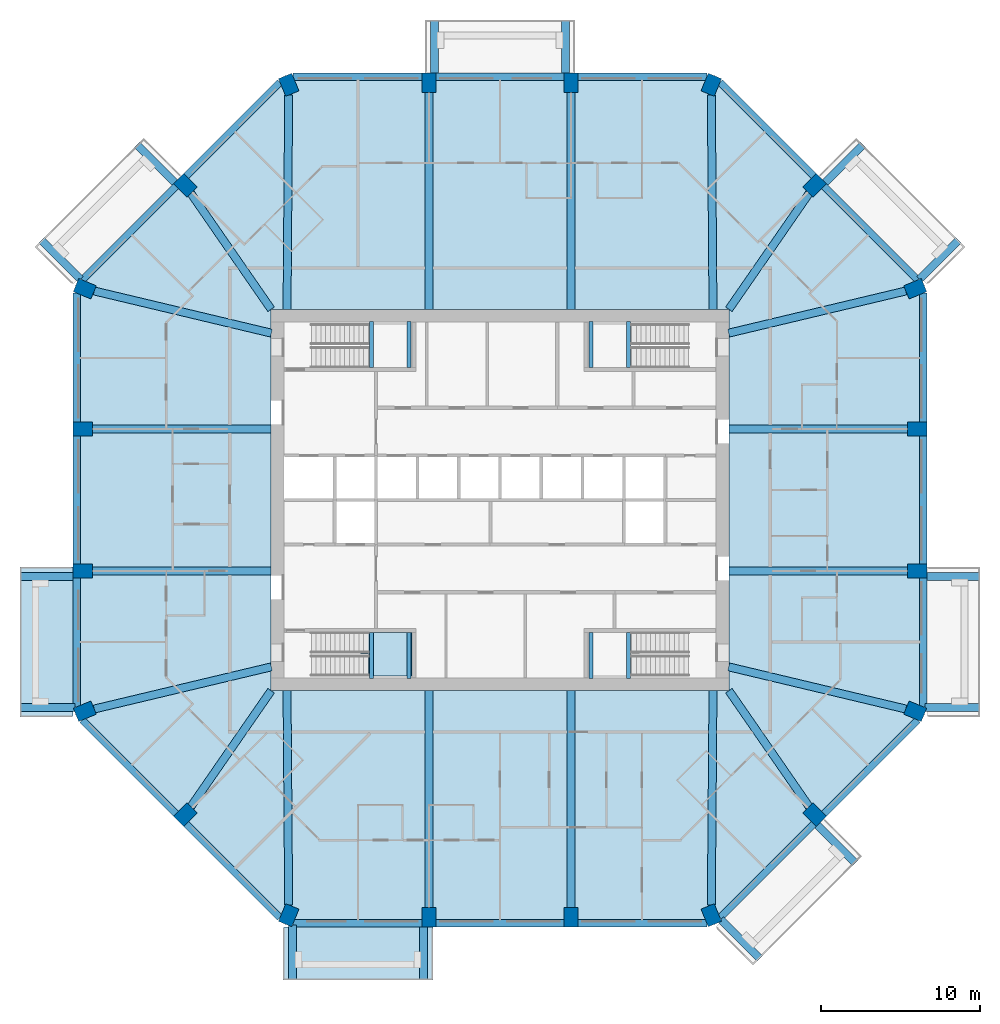
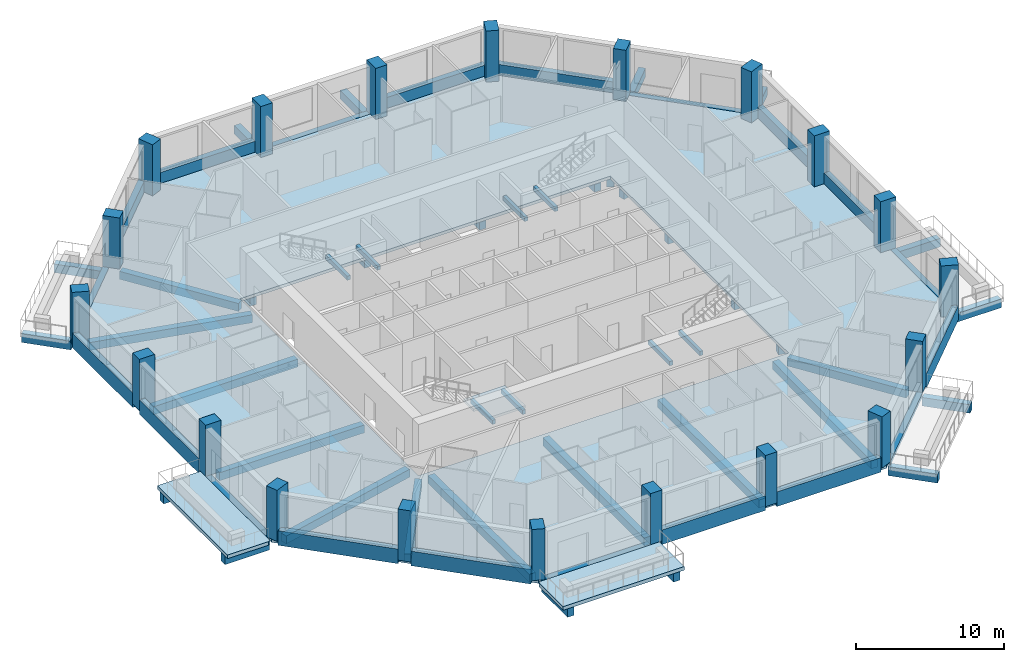
# One storey, part 1 of 12: 62 beams, 20 columns, 4 slabs, 1 element without a shape of its own.
"""IFC4 building model written with IfcOpenShell, lengths in metres."""

from ifc_helpers import new_model, si_unit, direction, frame, origin, origin_2d, place, context, subcontext, project, spatial, polyline, rectangle, outline, extrude, material, layer, layer_set, material_profile, profile_set, type_object, element, aggregate, save


model = new_model("IFC4")

# Units and contexts
model_context = context("Model", 3, precision=1e-05, world=origin(), true_north=direction((0.0, 1.0)))
body_context = subcontext(model_context, "Body", "Model", "MODEL_VIEW")
ifc_project = project(units=[si_unit("LENGTHUNIT", "METRE"), si_unit("AREAUNIT", "SQUARE_METRE"), si_unit("VOLUMEUNIT", "CUBIC_METRE"), si_unit("PLANEANGLEUNIT", "RADIAN"), si_unit("MASSUNIT", "GRAM", prefix="KILO")], contexts=[model_context])

# Site, building, storey
site_placement = place(None, origin())
site = spatial("IfcSite", under=ifc_project, at=site_placement, CompositionType="ELEMENT")
building_placement = place(site_placement, origin())
building = spatial("IfcBuilding", under=site, at=building_placement, Name="Msitu Wima Residences", CompositionType="ELEMENT")
storey_placement = place(building_placement, frame((0.0, 0.0, 119.10009765625)))
storey = spatial("IfcBuildingStorey", under=building, at=storey_placement, Name="L27", CompositionType="ELEMENT", Elevation=119.10009765625)

# Columns
ifc_material_1 = material(Name="Concrete C70/85", Category="concrete")
ifc_material_profile_1 = material_profile(ifc_material_1, rectangle(XDim=0.89990234375, YDim=1.199951171875, at=origin_2d()), Name="RC 900x1200")
ifc_profile_set_1 = profile_set([ifc_material_profile_1], Name="Concrete C70/85")
column_type = type_object("IfcColumnType", Name="Column RC 900x1200 Concrete C70/85", PredefinedType="COLUMN", material=ifc_profile_set_1)
for number, where, z_axis, x_axis, name in (
    (1, (26.12353515625, -13.291259765625, 0.0), (0.0, 0.0, 1.0), (0.382683496864, 0.923879505795, 0.0), "Column L27 C-E0"),
    (2, (26.25, -4.46875, 0.0), (0.0, 0.0, 1.0), (0.0, 1.0, 0.0), "Column L27 C-E1"),
    (3, (26.25, 4.46875, 0.0), (0.0, 0.0, 1.0), (0.0, 1.0, 0.0), "Column L27 C-E2"),
    (4, (26.12353515625, 13.291259765625, 0.0), (0.0, 0.0, 1.0), (-0.382683496864, 0.923879505795, 0.0), "Column L27 C-NE0"),
    (5, (19.796875, 19.796875, 0.0), (0.0, 0.0, 1.0), (-0.707106781187, 0.707106781187, 0.0), "Column L27 C-NE1"),
    (6, (13.291259765625, 26.12353515625, 0.0), (0.0, 0.0, 1.0), (-0.923879505795, 0.382683496864, 0.0), "Column L27 C-N0"),
    (7, (4.46875, 26.25, 0.0), (0.0, 0.0, 1.0), (-1.0, 0.0, 0.0), "Column L27 C-N1"),
    (8, (-4.46875, 26.25, 0.0), (0.0, 0.0, 1.0), (-1.0, 0.0, 0.0), "Column L27 C-N2"),
    (9, (-13.291259765625, 26.12353515625, 0.0), (0.0, 0.0, 1.0), (-0.923879505795, -0.382683496864, 0.0), "Column L27 C-NW0"),
    (10, (-19.796875, 19.796875, 0.0), (0.0, 0.0, 1.0), (-0.707106781187, -0.707106781187, 0.0), "Column L27 C-NW1"),
    (11, (-26.12353515625, 13.291259765625, 0.0), (0.0, 0.0, 1.0), (-0.382683496864, -0.923879505795, 0.0), "Column L27 C-W0"),
    (12, (-26.25, 4.46875, 0.0), (0.0, 0.0, 1.0), (0.0, -1.0, 0.0), "Column L27 C-W1"),
    (13, (-26.25, -4.46875, 0.0), (0.0, 0.0, 1.0), (0.0, -1.0, 0.0), "Column L27 C-W2"),
    (14, (-26.12353515625, -13.291259765625, 0.0), (0.0, 0.0, 1.0), (0.382683496864, -0.923879505795, 0.0), "Column L27 C-SW0"),
    (15, (-19.796875, -19.796875, 0.0), (0.0, 0.0, 1.0), (0.707106781187, -0.707106781187, 0.0), "Column L27 C-SW1"),
    (16, (-13.291259765625, -26.12353515625, 0.0), (0.0, 0.0, 1.0), (0.923879505795, -0.382683496864, 0.0), "Column L27 C-S0"),
    (17, (-4.46875, -26.25, 0.0), (0.0, 0.0, 1.0), (1.0, 0.0, 0.0), "Column L27 C-S1"),
    (18, (4.46875, -26.25, 0.0), (0.0, 0.0, 1.0), (1.0, 0.0, 0.0), "Column L27 C-S2"),
    (19, (13.291259765625, -26.12353515625, 0.0), (0.0, 0.0, 1.0), (0.923879505795, 0.382683496864, 0.0), "Column L27 C-SE0"),
    (20, (19.796875, -19.796875, 0.0), (0.0, 0.0, 1.0), (0.707106781187, 0.707106781187, 0.0), "Column L27 C-SE1"),
):
    element("IfcColumn", number, at=place(storey_placement, frame(where, z_axis=z_axis, x_axis=x_axis)), inside=storey, type_object=column_type, Name=name, PredefinedType="COLUMN", context=body_context, shape_type="SweptSolid", body=[
        extrude(rectangle(XDim=0.89990234375, YDim=1.199951171875, at=origin_2d()), origin(), (0.0, 0.0, 1.0), 4.199951171875),
    ])

# Beams
ifc_material_2 = material(Name="Concrete C50/60", Category="concrete")
ifc_material_profile_2 = material_profile(ifc_material_2, rectangle(XDim=0.5, YDim=0.64990234375, at=origin_2d()), Name="RC 500x650")
ifc_profile_set_2 = profile_set([ifc_material_profile_2], Name="Concrete C50/60")
beam_type_1 = type_object("IfcBeamType", Name="Beam RC 500x650 Concrete C50/60", PredefinedType="BEAM", material=ifc_profile_set_2)
beam_1_placement = place(storey_placement, frame((25.5322265625, -13.150634765625, -0.5751953125), z_axis=(-0.972805528659, 0.231623408598, 0.0), x_axis=(-0.231623408598, -0.972805528659, 0.0)))
element("IfcBeam", 21, at=beam_1_placement, inside=storey, type_object=beam_type_1, Name="Beam L27 C-E0", PredefinedType="BEAM", context=body_context, shape_type="SweptSolid", body=[
    extrude(rectangle(XDim=0.5, YDim=0.64990234375, at=origin_2d()), origin(), (0.0, 0.0, 1.0), 11.455322265625),
])
for number, where, z_axis, x_axis, name in (
    (22, (25.64990234375, -4.46875, -0.5751953125), (-1.0, 0.0, 0.0), (0.0, -1.0, 0.0), "Beam L27 C-E1"),
    (23, (25.64990234375, 4.46875, -0.5751953125), (-1.0, 0.0, 0.0), (0.0, -1.0, 0.0), "Beam L27 C-E2"),
):
    element("IfcBeam", number, at=place(storey_placement, frame(where, z_axis=z_axis, x_axis=x_axis)), inside=storey, type_object=beam_type_1, Name=name, PredefinedType="BEAM", context=body_context, shape_type="SweptSolid", body=[
        extrude(rectangle(XDim=0.5, YDim=0.64990234375, at=origin_2d()), origin(), (0.0, 0.0, 1.0), 11.25),
    ])
beam_2_placement = place(storey_placement, frame((25.5322265625, 13.150634765625, -0.5751953125), z_axis=(-0.972805528659, -0.231623408598, 0.0), x_axis=(0.231623408598, -0.972805528659, 0.0)))
element("IfcBeam", 24, at=beam_2_placement, inside=storey, type_object=beam_type_1, Name="Beam L27 C-NE0", PredefinedType="BEAM", context=body_context, shape_type="SweptSolid", body=[
    extrude(rectangle(XDim=0.5, YDim=0.64990234375, at=origin_2d()), origin(), (0.0, 0.0, 1.0), 11.455322265625),
])
beam_3_placement = place(storey_placement, frame((19.44970703125, 19.29541015625, -0.5751953125), z_axis=(-0.569144158363, -0.822237755763, 0.0), x_axis=(0.822237755763, -0.569144158363, 0.0)))
element("IfcBeam", 25, at=beam_3_placement, inside=storey, type_object=beam_type_1, Name="Beam L27 C-NE1", PredefinedType="BEAM", context=body_context, shape_type="SweptSolid", body=[
    extrude(rectangle(XDim=0.5, YDim=0.64990234375, at=origin_2d()), origin(), (0.0, 0.0, 1.0), 8.87255859375),
])
beam_4_placement = place(storey_placement, frame((13.29638671875, 25.471923828125, -0.5751953125), z_axis=(0.007694865426, -0.999970394085, 0.0), x_axis=(0.999970394085, 0.007694865426, 0.0)))
element("IfcBeam", 26, at=beam_4_placement, inside=storey, type_object=beam_type_1, Name="Beam L27 C-N0", PredefinedType="BEAM", context=body_context, shape_type="SweptSolid", body=[
    extrude(rectangle(XDim=0.5, YDim=0.64990234375, at=origin_2d()), origin(), (0.0, 0.0, 1.0), 13.484375),
])
for number, where, z_axis, x_axis, name in (
    (27, (4.46875, 25.64990234375, -0.5751953125), (0.0, -1.0, 0.0), (1.0, 0.0, 0.0), "Beam L27 C-N1"),
    (28, (-4.46875, 25.64990234375, -0.5751953125), (0.0, -1.0, 0.0), (1.0, 0.0, 0.0), "Beam L27 C-N2"),
):
    element("IfcBeam", number, at=place(storey_placement, frame(where, z_axis=z_axis, x_axis=x_axis)), inside=storey, type_object=beam_type_1, Name=name, PredefinedType="BEAM", context=body_context, shape_type="SweptSolid", body=[
        extrude(rectangle(XDim=0.5, YDim=0.64990234375, at=origin_2d()), origin(), (0.0, 0.0, 1.0), 13.64990234375),
    ])
beam_5_placement = place(storey_placement, frame((-13.29638671875, 25.471923828125, -0.5751953125), z_axis=(-0.007694865426, -0.999970394085, 0.0), x_axis=(0.999970394085, -0.007694865426, 0.0)))
element("IfcBeam", 29, at=beam_5_placement, inside=storey, type_object=beam_type_1, Name="Beam L27 C-NW0", PredefinedType="BEAM", context=body_context, shape_type="SweptSolid", body=[
    extrude(rectangle(XDim=0.5, YDim=0.64990234375, at=origin_2d()), origin(), (0.0, 0.0, 1.0), 13.484375),
])
beam_6_placement = place(storey_placement, frame((-19.44970703125, 19.29541015625, -0.5751953125), z_axis=(0.569144158363, -0.822237755763, 0.0), x_axis=(0.822237755763, 0.569144158363, 0.0)))
element("IfcBeam", 30, at=beam_6_placement, inside=storey, type_object=beam_type_1, Name="Beam L27 C-NW1", PredefinedType="BEAM", context=body_context, shape_type="SweptSolid", body=[
    extrude(rectangle(XDim=0.5, YDim=0.64990234375, at=origin_2d()), origin(), (0.0, 0.0, 1.0), 8.87255859375),
])
beam_7_placement = place(storey_placement, frame((-25.5322265625, 13.150634765625, -0.5751953125), z_axis=(0.972805528659, -0.231623408598, 0.0), x_axis=(0.231623408598, 0.972805528659, 0.0)))
element("IfcBeam", 31, at=beam_7_placement, inside=storey, type_object=beam_type_1, Name="Beam L27 C-W0", PredefinedType="BEAM", context=body_context, shape_type="SweptSolid", body=[
    extrude(rectangle(XDim=0.5, YDim=0.64990234375, at=origin_2d()), origin(), (0.0, 0.0, 1.0), 11.455322265625),
])
for number, where, z_axis, x_axis, name in (
    (32, (-25.64990234375, 4.46875, -0.5751953125), (1.0, 0.0, 0.0), (0.0, 1.0, 0.0), "Beam L27 C-W1"),
    (33, (-25.64990234375, -4.46875, -0.5751953125), (1.0, 0.0, 0.0), (0.0, 1.0, 0.0), "Beam L27 C-W2"),
):
    element("IfcBeam", number, at=place(storey_placement, frame(where, z_axis=z_axis, x_axis=x_axis)), inside=storey, type_object=beam_type_1, Name=name, PredefinedType="BEAM", context=body_context, shape_type="SweptSolid", body=[
        extrude(rectangle(XDim=0.5, YDim=0.64990234375, at=origin_2d()), origin(), (0.0, 0.0, 1.0), 11.25),
    ])
beam_8_placement = place(storey_placement, frame((-25.5322265625, -13.150634765625, -0.5751953125), z_axis=(0.972805528659, 0.231623408598, 0.0), x_axis=(-0.231623408598, 0.972805528659, 0.0)))
element("IfcBeam", 34, at=beam_8_placement, inside=storey, type_object=beam_type_1, Name="Beam L27 C-SW0", PredefinedType="BEAM", context=body_context, shape_type="SweptSolid", body=[
    extrude(rectangle(XDim=0.5, YDim=0.64990234375, at=origin_2d()), origin(), (0.0, 0.0, 1.0), 11.455322265625),
])
beam_9_placement = place(storey_placement, frame((-19.44970703125, -19.29541015625, -0.5751953125), z_axis=(0.569144158363, 0.822237755763, 0.0), x_axis=(-0.822237755763, 0.569144158363, 0.0)))
element("IfcBeam", 35, at=beam_9_placement, inside=storey, type_object=beam_type_1, Name="Beam L27 C-SW1", PredefinedType="BEAM", context=body_context, shape_type="SweptSolid", body=[
    extrude(rectangle(XDim=0.5, YDim=0.64990234375, at=origin_2d()), origin(), (0.0, 0.0, 1.0), 8.87255859375),
])
beam_10_placement = place(storey_placement, frame((-13.29638671875, -25.471923828125, -0.5751953125), z_axis=(-0.007694865426, 0.999970394085, 0.0), x_axis=(-0.999970394085, -0.007694865426, 0.0)))
element("IfcBeam", 36, at=beam_10_placement, inside=storey, type_object=beam_type_1, Name="Beam L27 C-S0", PredefinedType="BEAM", context=body_context, shape_type="SweptSolid", body=[
    extrude(rectangle(XDim=0.5, YDim=0.64990234375, at=origin_2d()), origin(), (0.0, 0.0, 1.0), 13.484375),
])
for number, where, z_axis, x_axis, name in (
    (37, (-4.46875, -25.64990234375, -0.5751953125), (0.0, 1.0, 0.0), (-1.0, 0.0, 0.0), "Beam L27 C-S1"),
    (38, (4.46875, -25.64990234375, -0.5751953125), (0.0, 1.0, 0.0), (-1.0, 0.0, 0.0), "Beam L27 C-S2"),
):
    element("IfcBeam", number, at=place(storey_placement, frame(where, z_axis=z_axis, x_axis=x_axis)), inside=storey, type_object=beam_type_1, Name=name, PredefinedType="BEAM", context=body_context, shape_type="SweptSolid", body=[
        extrude(rectangle(XDim=0.5, YDim=0.64990234375, at=origin_2d()), origin(), (0.0, 0.0, 1.0), 13.64990234375),
    ])
beam_11_placement = place(storey_placement, frame((13.29638671875, -25.471923828125, -0.5751953125), z_axis=(0.007694865426, 0.999970394085, 0.0), x_axis=(-0.999970394085, 0.007694865426, 0.0)))
element("IfcBeam", 39, at=beam_11_placement, inside=storey, type_object=beam_type_1, Name="Beam L27 C-SE0", PredefinedType="BEAM", context=body_context, shape_type="SweptSolid", body=[
    extrude(rectangle(XDim=0.5, YDim=0.64990234375, at=origin_2d()), origin(), (0.0, 0.0, 1.0), 13.484375),
])
beam_12_placement = place(storey_placement, frame((19.44970703125, -19.29541015625, -0.5751953125), z_axis=(-0.569144158363, 0.822237755763, 0.0), x_axis=(-0.822237755763, -0.569144158363, 0.0)))
element("IfcBeam", 40, at=beam_12_placement, inside=storey, type_object=beam_type_1, Name="Beam L27 C-SE1", PredefinedType="BEAM", context=body_context, shape_type="SweptSolid", body=[
    extrude(rectangle(XDim=0.5, YDim=0.64990234375, at=origin_2d()), origin(), (0.0, 0.0, 1.0), 8.87255859375),
])
ifc_material_profile_3 = material_profile(ifc_material_2, rectangle(XDim=0.5, YDim=0.699951171875, at=origin_2d()), Name="RC 500x700")
ifc_profile_set_3 = profile_set([ifc_material_profile_3], Name="Concrete C50/60")
beam_type_2 = type_object("IfcBeamType", Name="Cantilever beam RC 500x700 Concrete C50/60", PredefinedType="BEAM", material=ifc_profile_set_3)
beam_13_placement = place(storey_placement, frame((26.73095703125, -13.055908203125, -0.650146484375), z_axis=(1.0, 0.0, 0.0), x_axis=(0.0, 1.0, 0.0)))
element("IfcBeam", 41, at=beam_13_placement, inside=storey, type_object=beam_type_2, Name="Cantilever beam L27 BA-E0 A", PredefinedType="BEAM", context=body_context, shape_type="SweptSolid", body=[
    extrude(rectangle(XDim=0.5, YDim=0.699951171875, at=origin_2d()), origin(), (0.0, 0.0, 1.0), 3.468994140625),
])
beam_14_placement = place(storey_placement, frame((26.85009765625, -4.818603515625, -0.650146484375), z_axis=(1.0, 0.0, 0.0), x_axis=(0.0, 1.0, 0.0)))
element("IfcBeam", 42, at=beam_14_placement, inside=storey, type_object=beam_type_2, Name="Cantilever beam L27 BA-E0 B", PredefinedType="BEAM", context=body_context, shape_type="SweptSolid", body=[
    extrude(rectangle(XDim=0.5, YDim=0.699951171875, at=origin_2d()), origin(), (0.0, 0.0, 1.0), 3.349853515625),
])
beam_15_placement = place(storey_placement, frame((26.386474609375, 13.887451171875, -0.650146484375), z_axis=(0.707141968506, 0.707071592116, 0.0), x_axis=(-0.707071592116, 0.707141968506, 0.0)))
element("IfcBeam", 43, at=beam_15_placement, inside=storey, type_object=beam_type_2, Name="Cantilever beam L27 BA-NE0 A", PredefinedType="BEAM", context=body_context, shape_type="SweptSolid", body=[
    extrude(rectangle(XDim=0.5, YDim=0.699951171875, at=origin_2d()), origin(), (0.0, 0.0, 1.0), 3.468994140625),
])
for number, where, z_axis, x_axis, name in (
    (44, (20.46875, 19.9736328125, -0.650146484375), (0.707070340836, 0.707143219659, 0.0), (-0.707143219659, 0.707070340836, 0.0), "Cantilever beam L27 BA-NE0 B"),
    (45, (4.11865234375, 26.85009765625, -0.650146484375), (0.0, 1.0, 0.0), (-1.0, 0.0, 0.0), "Cantilever beam L27 BA-N1 A"),
    (46, (-4.11865234375, 26.85009765625, -0.650146484375), (0.0, 1.0, 0.0), (-1.0, 0.0, 0.0), "Cantilever beam L27 BA-N1 B"),
    (47, (-20.46875, 19.9736328125, -0.650146484375), (-0.707070340836, 0.707143219659, 0.0), (-0.707143219659, -0.707070340836, 0.0), "Cantilever beam L27 BA-NW1 A"),
):
    element("IfcBeam", number, at=place(storey_placement, frame(where, z_axis=z_axis, x_axis=x_axis)), inside=storey, type_object=beam_type_2, Name=name, PredefinedType="BEAM", context=body_context, shape_type="SweptSolid", body=[
        extrude(rectangle(XDim=0.5, YDim=0.699951171875, at=origin_2d()), origin(), (0.0, 0.0, 1.0), 3.349853515625),
    ])
beam_16_placement = place(storey_placement, frame((-26.386474609375, 13.887451171875, -0.650146484375), z_axis=(-0.707141968506, 0.707071592116, 0.0), x_axis=(-0.707071592116, -0.707141968506, 0.0)))
element("IfcBeam", 48, at=beam_16_placement, inside=storey, type_object=beam_type_2, Name="Cantilever beam L27 BA-NW1 B", PredefinedType="BEAM", context=body_context, shape_type="SweptSolid", body=[
    extrude(rectangle(XDim=0.5, YDim=0.699951171875, at=origin_2d()), origin(), (0.0, 0.0, 1.0), 3.468994140625),
])
beam_17_placement = place(storey_placement, frame((-26.85009765625, -4.818603515625, -0.650146484375), z_axis=(-1.0, 0.0, 0.0), x_axis=(0.0, -1.0, 0.0)))
element("IfcBeam", 49, at=beam_17_placement, inside=storey, type_object=beam_type_2, Name="Cantilever beam L27 BA-W2 A", PredefinedType="BEAM", context=body_context, shape_type="SweptSolid", body=[
    extrude(rectangle(XDim=0.5, YDim=0.699951171875, at=origin_2d()), origin(), (0.0, 0.0, 1.0), 3.349853515625),
])
for number, where, z_axis, x_axis, name in (
    (50, (-26.73095703125, -13.055908203125, -0.650146484375), (-1.0, 0.0, 0.0), (0.0, -1.0, 0.0), "Cantilever beam L27 BA-W2 B"),
    (51, (-13.055908203125, -26.73095703125, -0.650146484375), (0.0, -1.0, 0.0), (1.0, 0.0, 0.0), "Cantilever beam L27 BA-S0 A"),
):
    element("IfcBeam", number, at=place(storey_placement, frame(where, z_axis=z_axis, x_axis=x_axis)), inside=storey, type_object=beam_type_2, Name=name, PredefinedType="BEAM", context=body_context, shape_type="SweptSolid", body=[
        extrude(rectangle(XDim=0.5, YDim=0.699951171875, at=origin_2d()), origin(), (0.0, 0.0, 1.0), 3.468994140625),
    ])
beam_18_placement = place(storey_placement, frame((-4.818603515625, -26.85009765625, -0.650146484375), z_axis=(0.0, -1.0, 0.0), x_axis=(1.0, 0.0, 0.0)))
element("IfcBeam", 52, at=beam_18_placement, inside=storey, type_object=beam_type_2, Name="Cantilever beam L27 BA-S0 B", PredefinedType="BEAM", context=body_context, shape_type="SweptSolid", body=[
    extrude(rectangle(XDim=0.5, YDim=0.699951171875, at=origin_2d()), origin(), (0.0, 0.0, 1.0), 3.349853515625),
])
beam_19_placement = place(storey_placement, frame((13.887451171875, -26.386474609375, -0.650146484375), z_axis=(0.707071592116, -0.707141968506, 0.0), x_axis=(0.707141968506, 0.707071592116, 0.0)))
element("IfcBeam", 53, at=beam_19_placement, inside=storey, type_object=beam_type_2, Name="Cantilever beam L27 BA-SE0 A", PredefinedType="BEAM", context=body_context, shape_type="SweptSolid", body=[
    extrude(rectangle(XDim=0.5, YDim=0.699951171875, at=origin_2d()), origin(), (0.0, 0.0, 1.0), 3.468994140625),
])
beam_20_placement = place(storey_placement, frame((19.9736328125, -20.46875, -0.650146484375), z_axis=(0.707143219659, -0.707070340836, 0.0), x_axis=(0.707070340836, 0.707143219659, 0.0)))
element("IfcBeam", 54, at=beam_20_placement, inside=storey, type_object=beam_type_2, Name="Cantilever beam L27 BA-SE0 B", PredefinedType="BEAM", context=body_context, shape_type="SweptSolid", body=[
    extrude(rectangle(XDim=0.5, YDim=0.699951171875, at=origin_2d()), origin(), (0.0, 0.0, 1.0), 3.349853515625),
])
ifc_material_profile_4 = material_profile(ifc_material_2, rectangle(XDim=0.449951171875, YDim=0.300048828125, at=origin_2d()), Name="RC 450x300")
ifc_profile_set_4 = profile_set([ifc_material_profile_4], Name="Concrete C50/60")
beam_type_3 = type_object("IfcBeamType", Name="Edge beam RC 450x300 Concrete C50/60", PredefinedType="SPANDREL", material=ifc_profile_set_4)
beam_21_placement = place(storey_placement, frame((26.625, -13.02392578125, -0.150146484375), z_axis=(0.0, 1.0, 0.0), x_axis=(-1.0, 0.0, 0.0)))
element("IfcBeam", 55, at=beam_21_placement, inside=storey, type_object=beam_type_3, Name="Spandrel L27 E0", PredefinedType="SPANDREL", context=body_context, shape_type="SweptSolid", body=[
    extrude(rectangle(XDim=0.449951171875, YDim=0.300048828125, at=origin_2d()), origin(), (0.0, 0.0, 1.0), 8.105224609375),
])
beam_22_placement = place(storey_placement, frame((26.2890625, 13.8349609375, -0.150146484375), z_axis=(-0.707106781187, 0.707106781187, 0.0), x_axis=(-0.707106781187, -0.707106781187, 0.0)))
element("IfcBeam", 56, at=beam_22_placement, inside=storey, type_object=beam_type_3, Name="Spandrel L27 NE0", PredefinedType="SPANDREL", context=body_context, shape_type="SweptSolid", body=[
    extrude(rectangle(XDim=0.449951171875, YDim=0.300048828125, at=origin_2d()), origin(), (0.0, 0.0, 1.0), 8.3564453125),
])
beam_23_placement = place(storey_placement, frame((4.0185546875, 26.625, -0.150146484375), z_axis=(-1.0, 0.0, 0.0), x_axis=(0.0, -1.0, 0.0)))
element("IfcBeam", 57, at=beam_23_placement, inside=storey, type_object=beam_type_3, Name="Spandrel L27 N1", PredefinedType="SPANDREL", context=body_context, shape_type="SweptSolid", body=[
    extrude(rectangle(XDim=0.449951171875, YDim=0.300048828125, at=origin_2d()), origin(), (0.0, 0.0, 1.0), 8.037109375),
])
beam_24_placement = place(storey_placement, frame((-20.380126953125, 19.743896484375, -0.150146484375), z_axis=(-0.707106781187, -0.707106781187, 0.0), x_axis=(0.707106781187, -0.707106781187, 0.0)))
element("IfcBeam", 58, at=beam_24_placement, inside=storey, type_object=beam_type_3, Name="Spandrel L27 NW1", PredefinedType="SPANDREL", context=body_context, shape_type="SweptSolid", body=[
    extrude(rectangle(XDim=0.449951171875, YDim=0.300048828125, at=origin_2d()), origin(), (0.0, 0.0, 1.0), 8.3564453125),
])
for number, where, z_axis, x_axis, name in (
    (59, (-26.625, -4.918701171875, -0.150146484375), (0.0, -1.0, 0.0), (1.0, 0.0, 0.0), "Spandrel L27 W2"),
    (60, (-13.02392578125, -26.625, -0.150146484375), (1.0, 0.0, 0.0), (0.0, 1.0, 0.0), "Spandrel L27 S0"),
):
    element("IfcBeam", number, at=place(storey_placement, frame(where, z_axis=z_axis, x_axis=x_axis)), inside=storey, type_object=beam_type_3, Name=name, PredefinedType="SPANDREL", context=body_context, shape_type="SweptSolid", body=[
        extrude(rectangle(XDim=0.449951171875, YDim=0.300048828125, at=origin_2d()), origin(), (0.0, 0.0, 1.0), 8.105224609375),
    ])
beam_25_placement = place(storey_placement, frame((13.8349609375, -26.2890625, -0.150146484375), z_axis=(0.707106781187, 0.707106781187, 0.0), x_axis=(-0.707106781187, 0.707106781187, 0.0)))
element("IfcBeam", 61, at=beam_25_placement, inside=storey, type_object=beam_type_3, Name="Spandrel L27 SE0", PredefinedType="SPANDREL", context=body_context, shape_type="SweptSolid", body=[
    extrude(rectangle(XDim=0.449951171875, YDim=0.300048828125, at=origin_2d()), origin(), (0.0, 0.0, 1.0), 8.3564453125),
])
ifc_material_3 = material(Name="Concrete C40/50", Category="concrete")
ifc_material_profile_5 = material_profile(ifc_material_3, rectangle(XDim=0.25, YDim=0.35009765625, at=origin_2d()), Name="RC 250x350")
ifc_profile_set_5 = profile_set([ifc_material_profile_5], Name="Concrete C40/50")
beam_type_4 = type_object("IfcBeamType", Name="Landing beam RC 250x350", PredefinedType="BEAM", material=ifc_profile_set_5)
for number, where, z_axis, x_axis, name in (
    (62, (-8.074951171875, 8.324951171875, 1.724853515625), (0.0, 1.0, 0.0), (-1.0, 0.0, 0.0), "Stair 1 landing beam"),
    (63, (-5.72509765625, 8.324951171875, 1.724853515625), (0.0, 1.0, 0.0), (-1.0, 0.0, 0.0), "Stair 1 landing beam"),
    (64, (-8.074951171875, -11.22509765625, 1.724853515625), (0.0, 1.0, 0.0), (-1.0, 0.0, 0.0), "Stair 2 landing beam"),
    (65, (-5.72509765625, -11.22509765625, 1.724853515625), (0.0, 1.0, 0.0), (-1.0, 0.0, 0.0), "Stair 2 landing beam"),
    (66, (8.074951171875, 8.324951171875, 1.724853515625), (0.0, 1.0, 0.0), (-1.0, 0.0, 0.0), "Stair 3 landing beam"),
    (67, (5.72509765625, 8.324951171875, 1.724853515625), (0.0, 1.0, 0.0), (-1.0, 0.0, 0.0), "Stair 3 landing beam"),
    (68, (8.074951171875, -11.22509765625, 1.724853515625), (0.0, 1.0, 0.0), (-1.0, 0.0, 0.0), "Stair 4 landing beam"),
    (69, (5.72509765625, -11.22509765625, 1.724853515625), (0.0, 1.0, 0.0), (-1.0, 0.0, 0.0), "Stair 4 landing beam"),
):
    element("IfcBeam", number, at=place(storey_placement, frame(where, z_axis=z_axis, x_axis=x_axis)), inside=storey, type_object=beam_type_4, Name=name, PredefinedType="BEAM", context=body_context, shape_type="SweptSolid", body=[
        extrude(rectangle(XDim=0.25, YDim=0.35009765625, at=origin_2d()), origin(), (0.0, 0.0, 1.0), 2.900146484375),
    ])
ifc_material_profile_6 = material_profile(ifc_material_2, rectangle(XDim=0.449951171875, YDim=1.199951171875, at=origin_2d()), Name="RC 450x1200")
ifc_profile_set_6 = profile_set([ifc_material_profile_6], Name="Concrete C50/60")
beam_type_5 = type_object("IfcBeamType", Name="Spandrel RC 450x1200 Concrete C50/60", PredefinedType="SPANDREL", material=ifc_profile_set_6)
beam_26_placement = place(storey_placement, frame((26.625, -4.0185546875, 0.2998046875), z_axis=(0.0, 1.0, 0.0), x_axis=(-1.0, 0.0, 0.0)))
element("IfcBeam", 70, at=beam_26_placement, inside=storey, type_object=beam_type_5, Name="Spandrel L27 E1", PredefinedType="SPANDREL", context=body_context, shape_type="SweptSolid", body=[
    extrude(rectangle(XDim=0.449951171875, YDim=1.199951171875, at=origin_2d()), origin(), (0.0, 0.0, 1.0), 8.037109375),
])
beam_27_placement = place(storey_placement, frame((26.625, 4.918701171875, 0.2998046875), z_axis=(0.0, 1.0, 0.0), x_axis=(-1.0, 0.0, 0.0)))
element("IfcBeam", 71, at=beam_27_placement, inside=storey, type_object=beam_type_5, Name="Spandrel L27 E2", PredefinedType="SPANDREL", context=body_context, shape_type="SweptSolid", body=[
    extrude(rectangle(XDim=0.449951171875, YDim=1.199951171875, at=origin_2d()), origin(), (0.0, 0.0, 1.0), 8.105224609375),
])
beam_28_placement = place(storey_placement, frame((19.743896484375, 20.380126953125, 0.2998046875), z_axis=(-0.707106781187, 0.707106781187, 0.0), x_axis=(-0.707106781187, -0.707106781187, 0.0)))
element("IfcBeam", 72, at=beam_28_placement, inside=storey, type_object=beam_type_5, Name="Spandrel L27 NE1", PredefinedType="SPANDREL", context=body_context, shape_type="SweptSolid", body=[
    extrude(rectangle(XDim=0.449951171875, YDim=1.199951171875, at=origin_2d()), origin(), (0.0, 0.0, 1.0), 8.3564453125),
])
for number, where, z_axis, x_axis, name in (
    (73, (13.02392578125, 26.625, 0.2998046875), (-1.0, 0.0, 0.0), (0.0, -1.0, 0.0), "Spandrel L27 N0"),
    (74, (-4.918701171875, 26.625, 0.2998046875), (-1.0, 0.0, 0.0), (0.0, -1.0, 0.0), "Spandrel L27 N2"),
):
    element("IfcBeam", number, at=place(storey_placement, frame(where, z_axis=z_axis, x_axis=x_axis)), inside=storey, type_object=beam_type_5, Name=name, PredefinedType="SPANDREL", context=body_context, shape_type="SweptSolid", body=[
        extrude(rectangle(XDim=0.449951171875, YDim=1.199951171875, at=origin_2d()), origin(), (0.0, 0.0, 1.0), 8.105224609375),
    ])
beam_29_placement = place(storey_placement, frame((-13.8349609375, 26.2890625, 0.2998046875), z_axis=(-0.707106781187, -0.707106781187, 0.0), x_axis=(0.707106781187, -0.707106781187, 0.0)))
element("IfcBeam", 75, at=beam_29_placement, inside=storey, type_object=beam_type_5, Name="Spandrel L27 NW0", PredefinedType="SPANDREL", context=body_context, shape_type="SweptSolid", body=[
    extrude(rectangle(XDim=0.449951171875, YDim=1.199951171875, at=origin_2d()), origin(), (0.0, 0.0, 1.0), 8.3564453125),
])
beam_30_placement = place(storey_placement, frame((-26.625, 13.02392578125, 0.2998046875), z_axis=(0.0, -1.0, 0.0), x_axis=(1.0, 0.0, 0.0)))
element("IfcBeam", 76, at=beam_30_placement, inside=storey, type_object=beam_type_5, Name="Spandrel L27 W0", PredefinedType="SPANDREL", context=body_context, shape_type="SweptSolid", body=[
    extrude(rectangle(XDim=0.449951171875, YDim=1.199951171875, at=origin_2d()), origin(), (0.0, 0.0, 1.0), 8.105224609375),
])
beam_31_placement = place(storey_placement, frame((-26.625, 4.0185546875, 0.2998046875), z_axis=(0.0, -1.0, 0.0), x_axis=(1.0, 0.0, 0.0)))
element("IfcBeam", 77, at=beam_31_placement, inside=storey, type_object=beam_type_5, Name="Spandrel L27 W1", PredefinedType="SPANDREL", context=body_context, shape_type="SweptSolid", body=[
    extrude(rectangle(XDim=0.449951171875, YDim=1.199951171875, at=origin_2d()), origin(), (0.0, 0.0, 1.0), 8.037109375),
])
for number, where, z_axis, x_axis, name in (
    (78, (-26.2890625, -13.8349609375, 0.2998046875), (0.707106781187, -0.707106781187, 0.0), (0.707106781187, 0.707106781187, 0.0), "Spandrel L27 SW0"),
    (79, (-19.743896484375, -20.380126953125, 0.2998046875), (0.707106781187, -0.707106781187, 0.0), (0.707106781187, 0.707106781187, 0.0), "Spandrel L27 SW1"),
):
    element("IfcBeam", number, at=place(storey_placement, frame(where, z_axis=z_axis, x_axis=x_axis)), inside=storey, type_object=beam_type_5, Name=name, PredefinedType="SPANDREL", context=body_context, shape_type="SweptSolid", body=[
        extrude(rectangle(XDim=0.449951171875, YDim=1.199951171875, at=origin_2d()), origin(), (0.0, 0.0, 1.0), 8.3564453125),
    ])
beam_32_placement = place(storey_placement, frame((-4.0185546875, -26.625, 0.2998046875), z_axis=(1.0, 0.0, 0.0), x_axis=(0.0, 1.0, 0.0)))
element("IfcBeam", 80, at=beam_32_placement, inside=storey, type_object=beam_type_5, Name="Spandrel L27 S1", PredefinedType="SPANDREL", context=body_context, shape_type="SweptSolid", body=[
    extrude(rectangle(XDim=0.449951171875, YDim=1.199951171875, at=origin_2d()), origin(), (0.0, 0.0, 1.0), 8.037109375),
])
beam_33_placement = place(storey_placement, frame((4.918701171875, -26.625, 0.2998046875), z_axis=(1.0, 0.0, 0.0), x_axis=(0.0, 1.0, 0.0)))
element("IfcBeam", 81, at=beam_33_placement, inside=storey, type_object=beam_type_5, Name="Spandrel L27 S2", PredefinedType="SPANDREL", context=body_context, shape_type="SweptSolid", body=[
    extrude(rectangle(XDim=0.449951171875, YDim=1.199951171875, at=origin_2d()), origin(), (0.0, 0.0, 1.0), 8.105224609375),
])
beam_34_placement = place(storey_placement, frame((20.380126953125, -19.743896484375, 0.2998046875), z_axis=(0.707106781187, 0.707106781187, 0.0), x_axis=(-0.707106781187, 0.707106781187, 0.0)))
element("IfcBeam", 82, at=beam_34_placement, inside=storey, type_object=beam_type_5, Name="Spandrel L27 SE1", PredefinedType="SPANDREL", context=body_context, shape_type="SweptSolid", body=[
    extrude(rectangle(XDim=0.449951171875, YDim=1.199951171875, at=origin_2d()), origin(), (0.0, 0.0, 1.0), 8.3564453125),
])

# Slabs
ifc_layer_1 = layer(ifc_material_3, 0.300048828125)
ifc_layer_set_1 = layer_set([ifc_layer_1], Name="Concrete C40/50")
slab_type_1 = type_object("IfcSlabType", Name="Balcony slab BS300", PredefinedType="FLOOR", material=ifc_layer_set_1)
slab_1_placement = place(storey_placement, frame((0.0, 0.0, -0.300048828125)))
element("IfcSlab", 83, at=slab_1_placement, inside=storey, type_object=slab_type_1, Name="Balcony W2 L27", PredefinedType="FLOOR", context=body_context, shape_type="SweptSolid", body=[
    extrude(outline(polyline([(-26.85009765625, -13.105224609375), (-26.85009765625, -13.105224609375), (-26.85009765625, -13.59228515625), (-27.003662109375, -13.656005859375), (-30.199951171875, -13.656005859375), (-30.199951171875, -4.21875), (-26.85009765625, -4.21875), (-26.85009765625, -4.918701171875), (-26.85009765625, -4.918701171875), (-26.85009765625, -13.105224609375), (-26.85009765625, -13.105224609375)])), origin(), (0.0, 0.0, 1.0), 0.300048828125),
])
slab_2_placement = place(storey_placement, frame((0.0, 0.0, -0.300048828125)))
element("IfcSlab", 84, at=slab_2_placement, inside=storey, type_object=slab_type_1, Name="Balcony S0 L27", PredefinedType="FLOOR", context=body_context, shape_type="SweptSolid", body=[
    extrude(outline(polyline([(-13.105224609375, -26.85009765625), (-13.105224609375, -26.85009765625), (-4.918701171875, -26.85009765625), (-4.918701171875, -26.85009765625), (-4.21875, -26.85009765625), (-4.21875, -30.199951171875), (-13.656005859375, -30.199951171875), (-13.656005859375, -27.003662109375), (-13.59228515625, -26.85009765625), (-13.105224609375, -26.85009765625), (-13.105224609375, -26.85009765625)])), origin(), (0.0, 0.0, 1.0), 0.300048828125),
])
ifc_layer_2 = layer(ifc_material_3, 0.25)
ifc_layer_set_2 = layer_set([ifc_layer_2], Name="Concrete C40/50")
slab_type_2 = type_object("IfcSlabType", Name="PT flat slab 250 Concrete C40/50", PredefinedType="FLOOR", material=ifc_layer_set_2)
slab_3_placement = place(storey_placement, frame((0.0, 0.0, -0.25)))
element("IfcSlab", 85, at=slab_3_placement, inside=storey, type_object=slab_type_2, Name="Floor slab L27", PredefinedType="FLOOR", context=body_context, shape_type="SweptSolid", body=[
    extrude(outline(polyline([(26.699951171875, -13.5302734375), (13.5302734375, -26.699951171875), (-13.5302734375, -26.699951171875), (-26.699951171875, -13.5302734375), (-26.699951171875, 13.5302734375), (-13.5302734375, 26.699951171875), (13.5302734375, 26.699951171875), (26.699951171875, 13.5302734375), (26.699951171875, -13.5302734375)]), holes=[polyline([(-14.39990234375, -12.0), (14.39990234375, -12.0), (14.39990234375, 12.0), (-14.39990234375, 12.0), (-14.39990234375, -12.0)])]), origin(), (0.0, 0.0, 1.0), 0.25),
])

# Stair, slab
stair_type = type_object("IfcStairType", Name="Exit stair ES1615-130", PredefinedType="HALF_TURN_STAIR", material=ifc_material_3)
stair_placement = place(storey_placement, origin())
stair = element("IfcStair", 86, at=stair_placement, inside=storey, type_object=stair_type, Name="Exit stair 2", PredefinedType="HALF_TURN_STAIR")
ifc_layer_3 = layer(ifc_material_3, 0.199951171875)
ifc_layer_set_3 = layer_set([ifc_layer_3], Name="Concrete C40/50")
slab_type_3 = type_object("IfcSlabType", Name="Stair landing SL200", PredefinedType="LANDING", material=ifc_layer_set_3)
slab_4_placement = place(storey_placement, frame((0.0, 0.0, 1.89990234375)))
slab_4 = element("IfcSlab", 87, at=slab_4_placement, type_object=slab_type_3, Name="S2 landing 1", PredefinedType="LANDING", context=body_context, shape_type="SweptSolid", body=[
    extrude(outline(polyline([(-5.52490234375, -11.074951171875), (-8.275390625, -11.074951171875), (-8.275390625, -9.699951171875), (-8.77490234375, -9.699951171875), (-8.77490234375, -8.324951171875), (-5.52490234375, -8.324951171875), (-5.52490234375, -11.074951171875)])), origin(), (0.0, 0.0, 1.0), 0.199951171875),
])
aggregate(stair, [slab_4])

save(model, "model.ifc")
